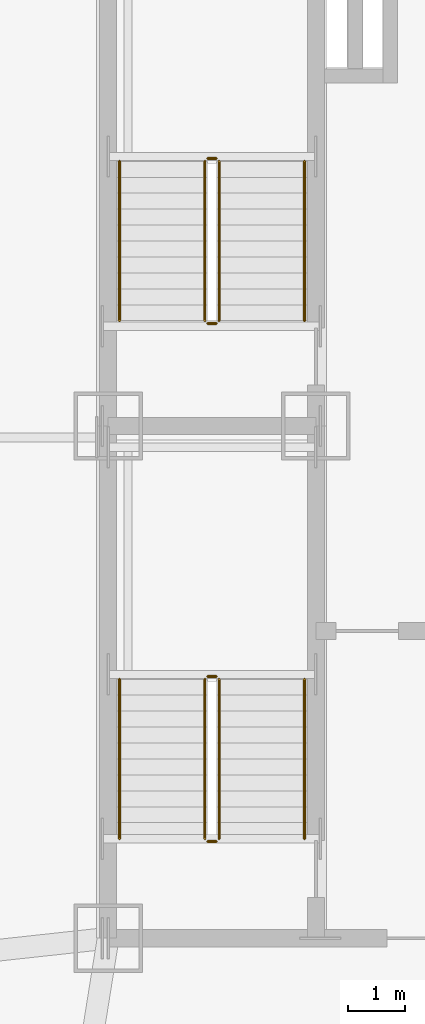
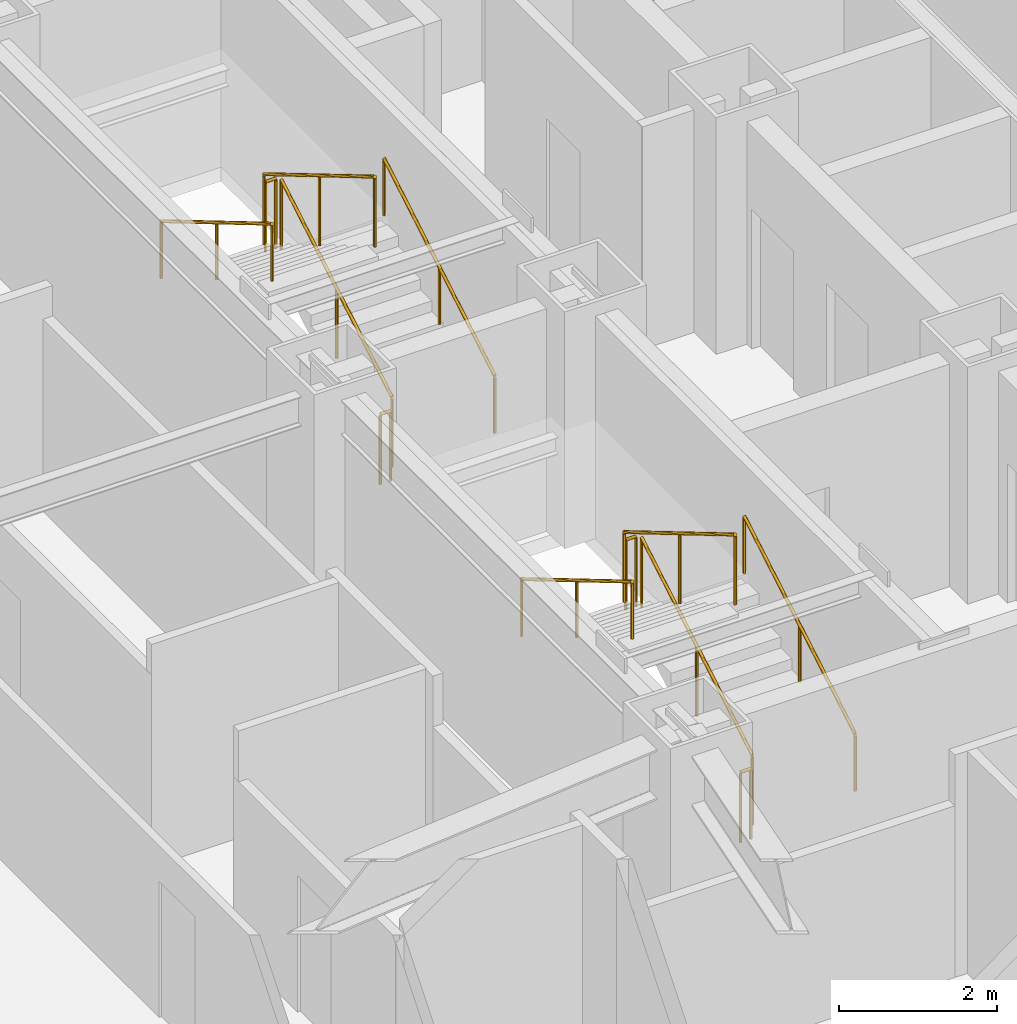
# One storey, part 11 of 11: 12 railings.
"""IFC4 building model written with IfcOpenShell, lengths in metres."""

from ifc_helpers import new_model, si_unit, direction, frame, origin, origin_2d, place, context, subcontext, project, spatial, circle, extrude, material, type_object, element, save


model = new_model("IFC4")

# Units and contexts
model_context = context("Model", 3, precision=1e-05, world=origin(), true_north=direction((0.0, 1.0)))
body_context = subcontext(model_context, "Body", "Model", "MODEL_VIEW")
ifc_project = project(units=[si_unit("LENGTHUNIT", "METRE"), si_unit("AREAUNIT", "SQUARE_METRE"), si_unit("VOLUMEUNIT", "CUBIC_METRE"), si_unit("PLANEANGLEUNIT", "RADIAN"), si_unit("MASSUNIT", "GRAM", prefix="KILO")], contexts=[model_context])

# Site, building, storey
site_placement = place(None, origin())
site = spatial("IfcSite", under=ifc_project, at=site_placement, CompositionType="ELEMENT")
building_placement = place(site_placement, origin())
building = spatial("IfcBuilding", under=site, at=building_placement, Name="Khamvora Tower", CompositionType="ELEMENT")
storey_placement = place(building_placement, frame((0.0, 0.0, 116.5)))
storey = spatial("IfcBuildingStorey", under=building, at=storey_placement, Name="L29", CompositionType="ELEMENT", Elevation=116.5)

# Railings
ifc_material_1 = material(Name="Brushed Stainless Steel 316", Category="steel")
railing_type_1 = type_object("IfcRailingType", Name="RAL-HDR-920", PredefinedType="HANDRAIL", material=ifc_material_1)
railing_1_placement = place(storey_placement, frame((32.449951171875, 20.75, 0.166015625)))
element("IfcRailing", 1, at=railing_1_placement, inside=storey, type_object=railing_type_1, Name="L29 ST-01 stair handrail 1", PredefinedType="HANDRAIL", context=body_context, shape_type="SweptSolid", body=[
    extrude(circle(Radius=0.02392578125, at=origin_2d()), frame((0.0, 0.0, 0.8759765625), z_axis=(0.0, 0.860339051648, 0.50972219513), x_axis=(-1.0, 0.0, 0.0)), (0.0, 0.0, 1.0), 3.254638671875),
    extrude(circle(Radius=0.02099609375, at=origin_2d()), origin(), (0.0, 0.0, 1.0), 0.851806640625),
    extrude(circle(Radius=0.02099609375, at=origin_2d()), frame((0.0, 1.39990234375, 0.82958984375)), (0.0, 0.0, 1.0), 0.851806640625),
    extrude(circle(Radius=0.02099609375, at=origin_2d()), frame((0.0, 2.800048828125, 1.658935546875)), (0.0, 0.0, 1.0), 0.851806640625),
])
railing_2_placement = place(storey_placement, frame((29.199951171875, 23.550048828125, 1.990966796875)))
element("IfcRailing", 2, at=railing_2_placement, inside=storey, type_object=railing_type_1, Name="L29 ST-01 stair handrail 2", PredefinedType="HANDRAIL", context=body_context, shape_type="SweptSolid", body=[
    extrude(circle(Radius=0.02392578125, at=origin_2d()), frame((0.0, 0.0, 0.8759765625), z_axis=(0.0, -0.860339051648, 0.50972219513), x_axis=(1.0, 0.0, 0.0)), (0.0, 0.0, 1.0), 3.254638671875),
    extrude(circle(Radius=0.02099609375, at=origin_2d()), origin(), (0.0, 0.0, 1.0), 0.851806640625),
    extrude(circle(Radius=0.02099609375, at=origin_2d()), frame((0.0, -1.39990234375, 0.82958984375)), (0.0, 0.0, 1.0), 0.851806640625),
    extrude(circle(Radius=0.02099609375, at=origin_2d()), frame((0.0, -2.800048828125, 1.658935546875)), (0.0, 0.0, 1.0), 0.851806640625),
])
railing_3_placement = place(storey_placement, frame((32.449951171875, 29.85009765625, 0.166015625)))
element("IfcRailing", 3, at=railing_3_placement, inside=storey, type_object=railing_type_1, Name="L29 ST-02 stair handrail 1", PredefinedType="HANDRAIL", context=body_context, shape_type="SweptSolid", body=[
    extrude(circle(Radius=0.02392578125, at=origin_2d()), frame((0.0, 0.0, 0.8759765625), z_axis=(0.0, 0.860319559791, 0.509755093197), x_axis=(-1.0, 0.0, 0.0)), (0.0, 0.0, 1.0), 3.25439453125),
    extrude(circle(Radius=0.02099609375, at=origin_2d()), origin(), (0.0, 0.0, 1.0), 0.851806640625),
    extrude(circle(Radius=0.02099609375, at=origin_2d()), frame((0.0, 1.39990234375, 0.82958984375)), (0.0, 0.0, 1.0), 0.851806640625),
    extrude(circle(Radius=0.02099609375, at=origin_2d()), frame((0.0, 2.7998046875, 1.658935546875)), (0.0, 0.0, 1.0), 0.851806640625),
])
railing_4_placement = place(storey_placement, frame((29.199951171875, 32.64990234375, 1.990966796875)))
element("IfcRailing", 4, at=railing_4_placement, inside=storey, type_object=railing_type_1, Name="L29 ST-02 stair handrail 2", PredefinedType="HANDRAIL", context=body_context, shape_type="SweptSolid", body=[
    extrude(circle(Radius=0.02392578125, at=origin_2d()), frame((0.0, 0.0, 0.8759765625), z_axis=(0.0, -0.860319559791, 0.509755093197), x_axis=(1.0, 0.0, 0.0)), (0.0, 0.0, 1.0), 3.25439453125),
    extrude(circle(Radius=0.02099609375, at=origin_2d()), origin(), (0.0, 0.0, 1.0), 0.851806640625),
    extrude(circle(Radius=0.02099609375, at=origin_2d()), frame((0.0, -1.39990234375, 0.82958984375)), (0.0, 0.0, 1.0), 0.851806640625),
    extrude(circle(Radius=0.02099609375, at=origin_2d()), frame((0.0, -2.7998046875, 1.658935546875)), (0.0, 0.0, 1.0), 0.851806640625),
])
ifc_material_2 = material(Name="Stainless Steel 316", Category="steel")
railing_type_2 = type_object("IfcRailingType", Name="RAL-STG-1100", PredefinedType="GUARDRAIL", material=ifc_material_2)
railing_5_placement = place(storey_placement, frame((30.949951171875, 20.75, 0.166015625)))
element("IfcRailing", 5, at=railing_5_placement, inside=storey, type_object=railing_type_2, Name="L29 ST-01 stair guard 1", PredefinedType="GUARDRAIL", context=body_context, shape_type="SweptSolid", body=[
    extrude(circle(Radius=0.02392578125, at=origin_2d()), frame((0.0, 0.0, 1.076171875), z_axis=(0.0, 0.860339051648, 0.50972219513), x_axis=(-1.0, 0.0, 0.0)), (0.0, 0.0, 1.0), 3.254638671875),
    extrude(circle(Radius=0.02099609375, at=origin_2d()), origin(), (0.0, 0.0, 1.0), 1.052001953125),
    extrude(circle(Radius=0.02099609375, at=origin_2d()), frame((0.0, 1.39990234375, 0.82958984375)), (0.0, 0.0, 1.0), 1.052001953125),
    extrude(circle(Radius=0.02099609375, at=origin_2d()), frame((0.0, 2.800048828125, 1.658935546875)), (0.0, 0.0, 1.0), 1.052001953125),
])
railing_6_placement = place(storey_placement, frame((30.89990234375, 23.60009765625, 1.824951171875)))
element("IfcRailing", 6, at=railing_6_placement, inside=storey, type_object=railing_type_2, Name="L29 ST-01 stair guard 2", PredefinedType="GUARDRAIL", context=body_context, shape_type="SweptSolid", body=[
    extrude(circle(Radius=0.02392578125, at=origin_2d()), frame((0.0, 0.0, 1.076171875), z_axis=(-1.0, 0.0, 0.0), x_axis=(0.0, -1.0, 0.0)), (0.0, 0.0, 1.0), 0.14990234375),
    extrude(circle(Radius=0.02099609375, at=origin_2d()), origin(), (0.0, 0.0, 1.0), 1.052001953125),
    extrude(circle(Radius=0.02099609375, at=origin_2d()), frame((-0.14990234375, 0.0, 0.0)), (0.0, 0.0, 1.0), 1.052001953125),
])
railing_7_placement = place(storey_placement, frame((30.699951171875, 23.550048828125, 1.990966796875)))
element("IfcRailing", 7, at=railing_7_placement, inside=storey, type_object=railing_type_2, Name="L29 ST-01 stair guard 3", PredefinedType="GUARDRAIL", context=body_context, shape_type="SweptSolid", body=[
    extrude(circle(Radius=0.02392578125, at=origin_2d()), frame((0.0, 0.0, 1.076171875), z_axis=(0.0, -0.860339051648, 0.50972219513), x_axis=(1.0, 0.0, 0.0)), (0.0, 0.0, 1.0), 3.254638671875),
    extrude(circle(Radius=0.02099609375, at=origin_2d()), origin(), (0.0, 0.0, 1.0), 1.052001953125),
    extrude(circle(Radius=0.02099609375, at=origin_2d()), frame((0.0, -1.39990234375, 0.82958984375)), (0.0, 0.0, 1.0), 1.052001953125),
    extrude(circle(Radius=0.02099609375, at=origin_2d()), frame((0.0, -2.800048828125, 1.658935546875)), (0.0, 0.0, 1.0), 1.052001953125),
])
railing_8_placement = place(storey_placement, frame((30.89990234375, 20.699951171875, 0.0)))
element("IfcRailing", 8, at=railing_8_placement, inside=storey, type_object=railing_type_2, Name="L29 ST-01 stair guard 4", PredefinedType="GUARDRAIL", context=body_context, shape_type="SweptSolid", body=[
    extrude(circle(Radius=0.02392578125, at=origin_2d()), frame((0.0, 0.0, 1.076171875), z_axis=(-1.0, 0.0, 0.0), x_axis=(0.0, -1.0, 0.0)), (0.0, 0.0, 1.0), 0.14990234375),
    extrude(circle(Radius=0.02099609375, at=origin_2d()), origin(), (0.0, 0.0, 1.0), 1.052001953125),
    extrude(circle(Radius=0.02099609375, at=origin_2d()), frame((-0.14990234375, 0.0, 0.0)), (0.0, 0.0, 1.0), 1.052001953125),
])
railing_9_placement = place(storey_placement, frame((30.949951171875, 29.85009765625, 0.166015625)))
element("IfcRailing", 9, at=railing_9_placement, inside=storey, type_object=railing_type_2, Name="L29 ST-02 stair guard 1", PredefinedType="GUARDRAIL", context=body_context, shape_type="SweptSolid", body=[
    extrude(circle(Radius=0.02392578125, at=origin_2d()), frame((0.0, 0.0, 1.076171875), z_axis=(0.0, 0.860319559791, 0.509755093197), x_axis=(-1.0, 0.0, 0.0)), (0.0, 0.0, 1.0), 3.25439453125),
    extrude(circle(Radius=0.02099609375, at=origin_2d()), origin(), (0.0, 0.0, 1.0), 1.052001953125),
    extrude(circle(Radius=0.02099609375, at=origin_2d()), frame((0.0, 1.39990234375, 0.82958984375)), (0.0, 0.0, 1.0), 1.052001953125),
    extrude(circle(Radius=0.02099609375, at=origin_2d()), frame((0.0, 2.7998046875, 1.658935546875)), (0.0, 0.0, 1.0), 1.052001953125),
])
railing_10_placement = place(storey_placement, frame((30.89990234375, 32.699951171875, 1.824951171875)))
element("IfcRailing", 10, at=railing_10_placement, inside=storey, type_object=railing_type_2, Name="L29 ST-02 stair guard 2", PredefinedType="GUARDRAIL", context=body_context, shape_type="SweptSolid", body=[
    extrude(circle(Radius=0.02392578125, at=origin_2d()), frame((0.0, 0.0, 1.076171875), z_axis=(-1.0, 0.0, 0.0), x_axis=(0.0, -1.0, 0.0)), (0.0, 0.0, 1.0), 0.14990234375),
    extrude(circle(Radius=0.02099609375, at=origin_2d()), origin(), (0.0, 0.0, 1.0), 1.052001953125),
    extrude(circle(Radius=0.02099609375, at=origin_2d()), frame((-0.14990234375, 0.0, 0.0)), (0.0, 0.0, 1.0), 1.052001953125),
])
railing_11_placement = place(storey_placement, frame((30.699951171875, 32.64990234375, 1.990966796875)))
element("IfcRailing", 11, at=railing_11_placement, inside=storey, type_object=railing_type_2, Name="L29 ST-02 stair guard 3", PredefinedType="GUARDRAIL", context=body_context, shape_type="SweptSolid", body=[
    extrude(circle(Radius=0.02392578125, at=origin_2d()), frame((0.0, 0.0, 1.076171875), z_axis=(0.0, -0.860319559791, 0.509755093197), x_axis=(1.0, 0.0, 0.0)), (0.0, 0.0, 1.0), 3.25439453125),
    extrude(circle(Radius=0.02099609375, at=origin_2d()), origin(), (0.0, 0.0, 1.0), 1.052001953125),
    extrude(circle(Radius=0.02099609375, at=origin_2d()), frame((0.0, -1.39990234375, 0.82958984375)), (0.0, 0.0, 1.0), 1.052001953125),
    extrude(circle(Radius=0.02099609375, at=origin_2d()), frame((0.0, -2.7998046875, 1.658935546875)), (0.0, 0.0, 1.0), 1.052001953125),
])
railing_12_placement = place(storey_placement, frame((30.89990234375, 29.800048828125, 0.0)))
element("IfcRailing", 12, at=railing_12_placement, inside=storey, type_object=railing_type_2, Name="L29 ST-02 stair guard 4", PredefinedType="GUARDRAIL", context=body_context, shape_type="SweptSolid", body=[
    extrude(circle(Radius=0.02392578125, at=origin_2d()), frame((0.0, 0.0, 1.076171875), z_axis=(-1.0, 0.0, 0.0), x_axis=(0.0, -1.0, 0.0)), (0.0, 0.0, 1.0), 0.14990234375),
    extrude(circle(Radius=0.02099609375, at=origin_2d()), origin(), (0.0, 0.0, 1.0), 1.052001953125),
    extrude(circle(Radius=0.02099609375, at=origin_2d()), frame((-0.14990234375, 0.0, 0.0)), (0.0, 0.0, 1.0), 1.052001953125),
])

save(model, "model.ifc")
